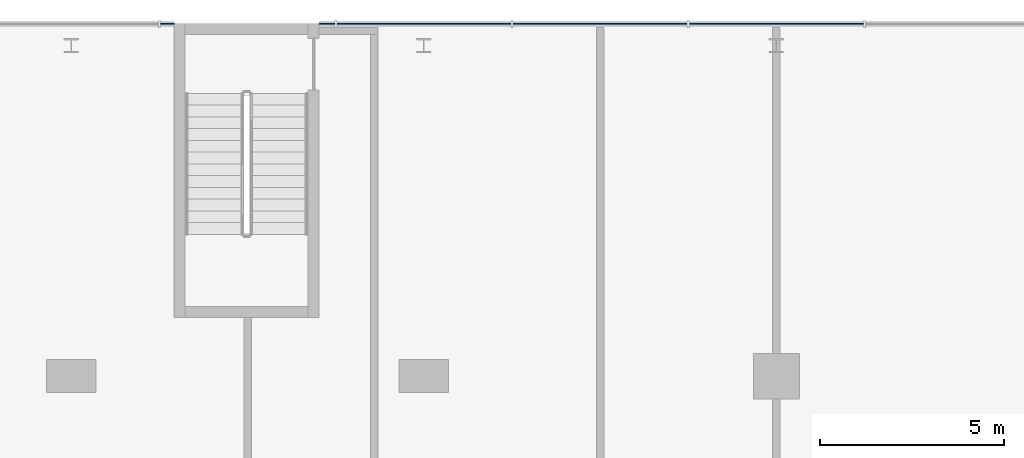
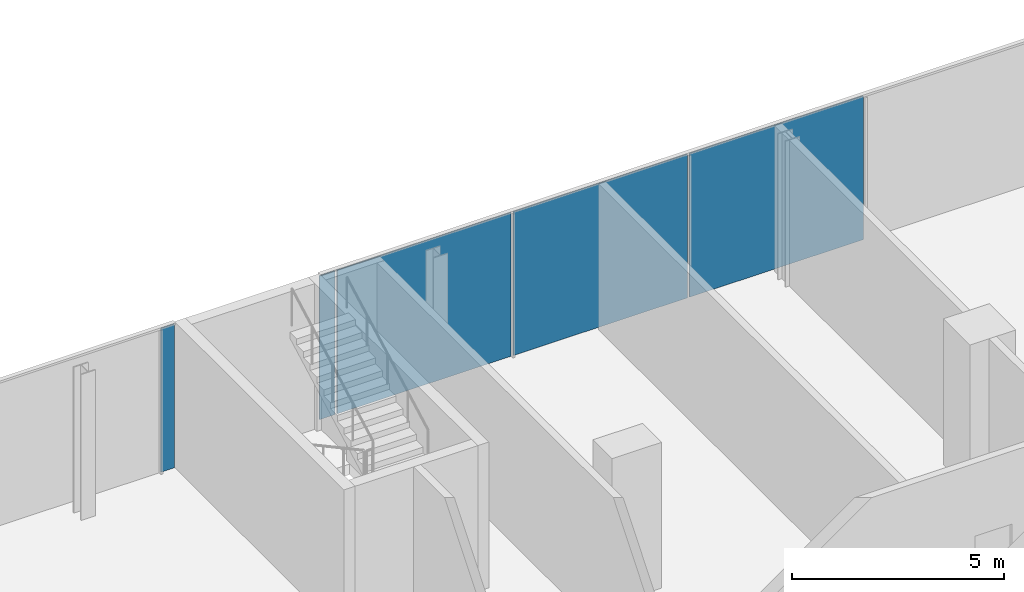
# One storey, part 25 of 38: 5 plates, 1 element without a shape of its own.
"""IFC4 building model written with IfcOpenShell, lengths in metres."""

from ifc_helpers import new_model, si_unit, direction, frame, origin, origin_2d, place, context, subcontext, project, spatial, rectangle, extrude, material, layer, layer_set, type_object, element, aggregate, save


model = new_model("IFC4")

# Units and contexts
model_context = context("Model", 3, precision=1e-05, world=origin(), true_north=direction((0.0, 1.0)))
body_context = subcontext(model_context, "Body", "Model", "MODEL_VIEW")
ifc_project = project(units=[si_unit("LENGTHUNIT", "METRE"), si_unit("AREAUNIT", "SQUARE_METRE"), si_unit("VOLUMEUNIT", "CUBIC_METRE"), si_unit("PLANEANGLEUNIT", "RADIAN"), si_unit("MASSUNIT", "GRAM", prefix="KILO")], contexts=[model_context])

# Site, building, storey
site_placement = place(None, origin())
site = spatial("IfcSite", under=ifc_project, at=site_placement, CompositionType="ELEMENT")
building_placement = place(site_placement, origin())
building = spatial("IfcBuilding", under=site, at=building_placement, Name="Madar Terraces", CompositionType="ELEMENT")
storey_placement = place(building_placement, frame((0.0, 0.0, 15.0)))
storey = spatial("IfcBuildingStorey", under=building, at=storey_placement, Name="L03", CompositionType="ELEMENT", Elevation=15.0)

# Curtain wall, plates
ifc_material_1 = material(Name="Glass, clear low-iron, with black aluminium frame", Category="aluminium")
ifc_layer_1 = layer(ifc_material_1, 0.199951171875)
ifc_layer_set_1 = layer_set([ifc_layer_1], Name="Facade curtain wall, shopfront glazing")
curtain_wall_type = type_object("IfcCurtainWallType", Name="Facade curtain wall, shopfront glazing", PredefinedType="NOTDEFINED", material=ifc_layer_set_1)
curtain_wall_placement = place(storey_placement, origin())
curtain_wall = element("IfcCurtainWall", 1, at=curtain_wall_placement, inside=storey, type_object=curtain_wall_type, Name="Outer skin curtain wall north bay 1", PredefinedType="NOTDEFINED")
ifc_material_2 = material(Name="Glass, ceramic frit dark grey", Category="glass")
ifc_layer_2 = layer(ifc_material_2, 0.028076171875)
ifc_layer_set_2 = layer_set([ifc_layer_2], Name="Facade glass panel 28")
plate_type = type_object("IfcPlateType", Name="Facade glass panel 28", PredefinedType="CURTAIN_PANEL", material=ifc_layer_set_2)
plate_1_placement = place(storey_placement, frame((52.800048828125, 57.60009765625, 0.0), z_axis=(0.0, 0.0, 1.0), x_axis=(-1.0, 0.0, 0.0)))
plate_1 = element("IfcPlate", 2, at=plate_1_placement, type_object=plate_type, Name="Panel 3", PredefinedType="CURTAIN_PANEL", context=body_context, shape_type="SweptSolid", body=[
    extrude(rectangle(XDim=4.739990234375, YDim=0.028076171875, at=origin_2d()), origin(), (0.0, 0.0, 1.0), 4.139892578125),
])
plate_2_placement = place(storey_placement, frame((48.0, 57.60009765625, 0.0), z_axis=(0.0, 0.0, 1.0), x_axis=(-1.0, 0.0, 0.0)))
plate_2 = element("IfcPlate", 3, at=plate_2_placement, type_object=plate_type, Name="Panel 4", PredefinedType="CURTAIN_PANEL", context=body_context, shape_type="SweptSolid", body=[
    extrude(rectangle(XDim=4.739990234375, YDim=0.028076171875, at=origin_2d()), origin(), (0.0, 0.0, 1.0), 4.139892578125),
])
plate_3_placement = place(storey_placement, frame((43.199951171875, 57.60009765625, 0.0), z_axis=(0.0, 0.0, 1.0), x_axis=(-1.0, 0.0, 0.0)))
plate_3 = element("IfcPlate", 4, at=plate_3_placement, type_object=plate_type, Name="Panel 5", PredefinedType="CURTAIN_PANEL", context=body_context, shape_type="SweptSolid", body=[
    extrude(rectangle(XDim=4.739990234375, YDim=0.028076171875, at=origin_2d()), origin(), (0.0, 0.0, 1.0), 4.139892578125),
])
plate_4_placement = place(storey_placement, frame((40.56005859375, 57.60009765625, 0.0), z_axis=(0.0, 0.0, 1.0), x_axis=(-1.0, 0.0, 0.0)))
plate_4 = element("IfcPlate", 5, at=plate_4_placement, type_object=plate_type, Name="Panel 6", PredefinedType="CURTAIN_PANEL", context=body_context, shape_type="SweptSolid", body=[
    extrude(rectangle(XDim=0.419921875, YDim=0.028076171875, at=origin_2d()), origin(), (0.0, 0.0, 1.0), 4.139892578125),
])
plate_5_placement = place(storey_placement, frame((36.215087890625, 57.60009765625, 0.0), z_axis=(0.0, 0.0, 1.0), x_axis=(-1.0, 0.0, 0.0)))
plate_5 = element("IfcPlate", 6, at=plate_5_placement, type_object=plate_type, Name="Panel 7", PredefinedType="CURTAIN_PANEL", context=body_context, shape_type="SweptSolid", body=[
    extrude(rectangle(XDim=0.3701171875, YDim=0.028076171875, at=origin_2d()), origin(), (0.0, 0.0, 1.0), 4.139892578125),
])
aggregate(curtain_wall, [plate_1, plate_2, plate_3, plate_4, plate_5])

save(model, "model.ifc")
